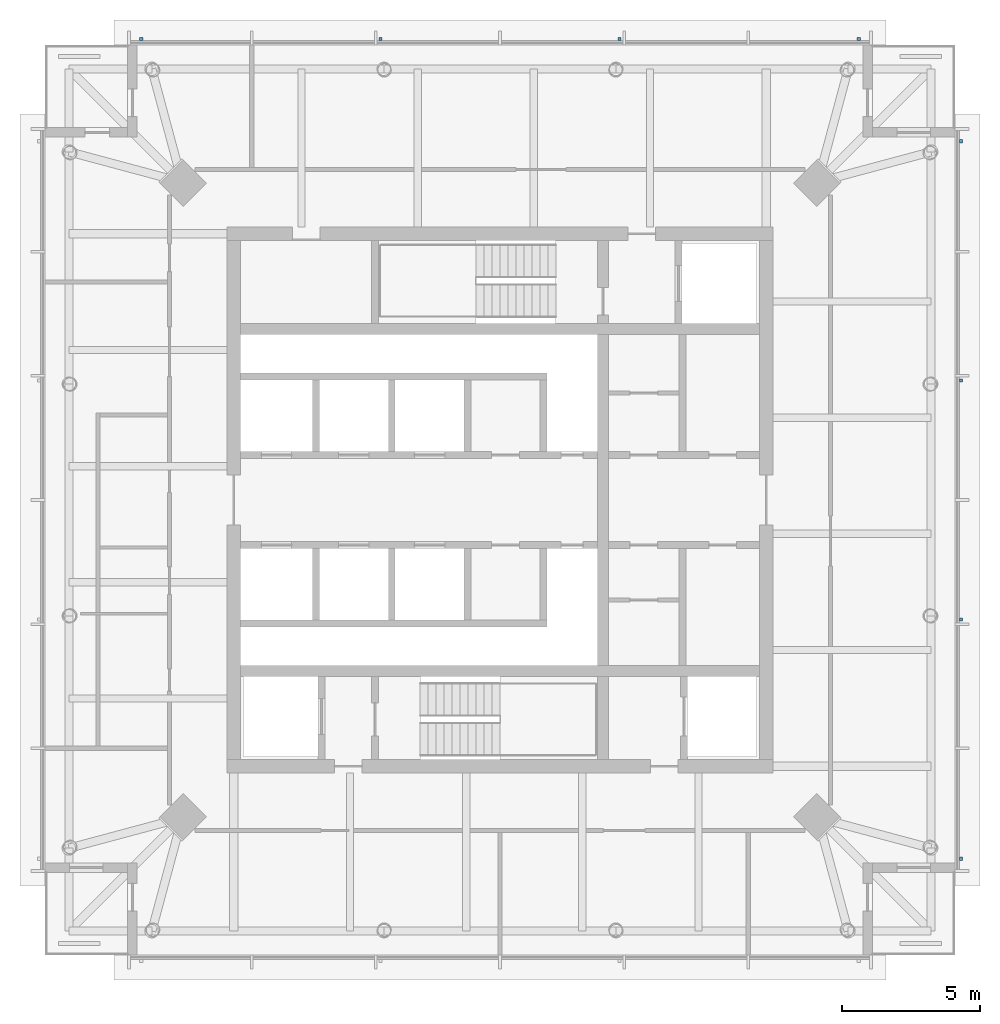
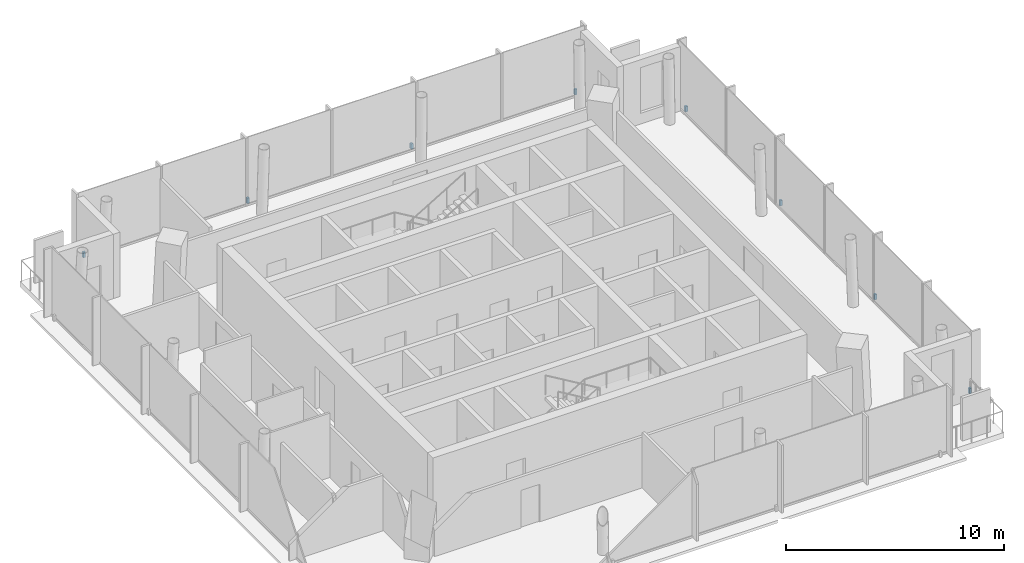
# One storey, part 7 of 8: 8 discrete accessories.
"""IFC4 building model written with IfcOpenShell, lengths in metres."""

from ifc_helpers import new_model, si_unit, direction, frame, origin, origin_2d, place, context, subcontext, project, spatial, rectangle, extrude, material, type_object, element, save


model = new_model("IFC4")

# Units and contexts
model_context = context("Model", 3, precision=1e-05, world=origin(), true_north=direction((0.0, 1.0)))
body_context = subcontext(model_context, "Body", "Model", "MODEL_VIEW")
ifc_project = project(units=[si_unit("LENGTHUNIT", "METRE"), si_unit("AREAUNIT", "SQUARE_METRE"), si_unit("VOLUMEUNIT", "CUBIC_METRE"), si_unit("PLANEANGLEUNIT", "RADIAN"), si_unit("MASSUNIT", "GRAM", prefix="KILO")], contexts=[model_context])

# Site, building, storey
site_placement = place(None, origin())
site = spatial("IfcSite", under=ifc_project, at=site_placement, CompositionType="ELEMENT")
building_placement = place(site_placement, origin())
building = spatial("IfcBuilding", under=site, at=building_placement, Name="Ostroluk Exchange", CompositionType="ELEMENT")
storey_placement = place(building_placement, frame((0.0, 0.0, 283.199951171875)))
storey = spatial("IfcBuildingStorey", under=building, at=storey_placement, Name="L73", CompositionType="ELEMENT", Elevation=283.199951171875)

# Discrete accessories
ifc_material = material(Name="Stainless steel", Category="steel")
discrete_accessory_type = type_object("IfcDiscreteAccessoryType", Name="Fall-arrest anchor PN-EN 795 type C", PredefinedType="USERDEFINED", material=ifc_material)
for number, where, z_axis, x_axis, name in (
    (1, (61.7099609375, 33.0, 0.0), (0.0, 0.0, 1.0), (1.0, 0.0, 0.0), "Fall-arrest anchor L73 east 1"),
    (2, (61.7099609375, 41.666748046875, 0.0), (0.0, 0.0, 1.0), (1.0, 0.0, 0.0), "Fall-arrest anchor L73 east 2"),
    (3, (61.7099609375, 50.333251953125, 0.0), (0.0, 0.0, 1.0), (1.0, 0.0, 0.0), "Fall-arrest anchor L73 east 3"),
    (4, (61.7099609375, 59.0, 0.0), (0.0, 0.0, 1.0), (1.0, 0.0, 0.0), "Fall-arrest anchor L73 east 4"),
    (5, (32.0, 62.7099609375, 0.0), (0.0, 0.0, 1.0), (1.0, 0.0, 0.0), "Fall-arrest anchor L73 north 1"),
    (6, (40.666748046875, 62.7099609375, 0.0), (0.0, 0.0, 1.0), (1.0, 0.0, 0.0), "Fall-arrest anchor L73 north 2"),
    (7, (49.333251953125, 62.7099609375, 0.0), (0.0, 0.0, 1.0), (1.0, 0.0, 0.0), "Fall-arrest anchor L73 north 3"),
    (8, (58.0, 62.7099609375, 0.0), (0.0, 0.0, 1.0), (1.0, 0.0, 0.0), "Fall-arrest anchor L73 north 4"),
):
    element("IfcDiscreteAccessory", number, at=place(storey_placement, frame(where, z_axis=z_axis, x_axis=x_axis)), inside=storey, type_object=discrete_accessory_type, Name=name, ObjectType="FALL ARREST ANCHOR", PredefinedType="USERDEFINED", context=body_context, shape_type="SweptSolid", body=[
        extrude(rectangle(XDim=0.1201171875, YDim=0.1201171875, at=origin_2d()), origin(), (0.0, 0.0, 1.0), 0.300048828125),
    ])

save(model, "model.ifc")
